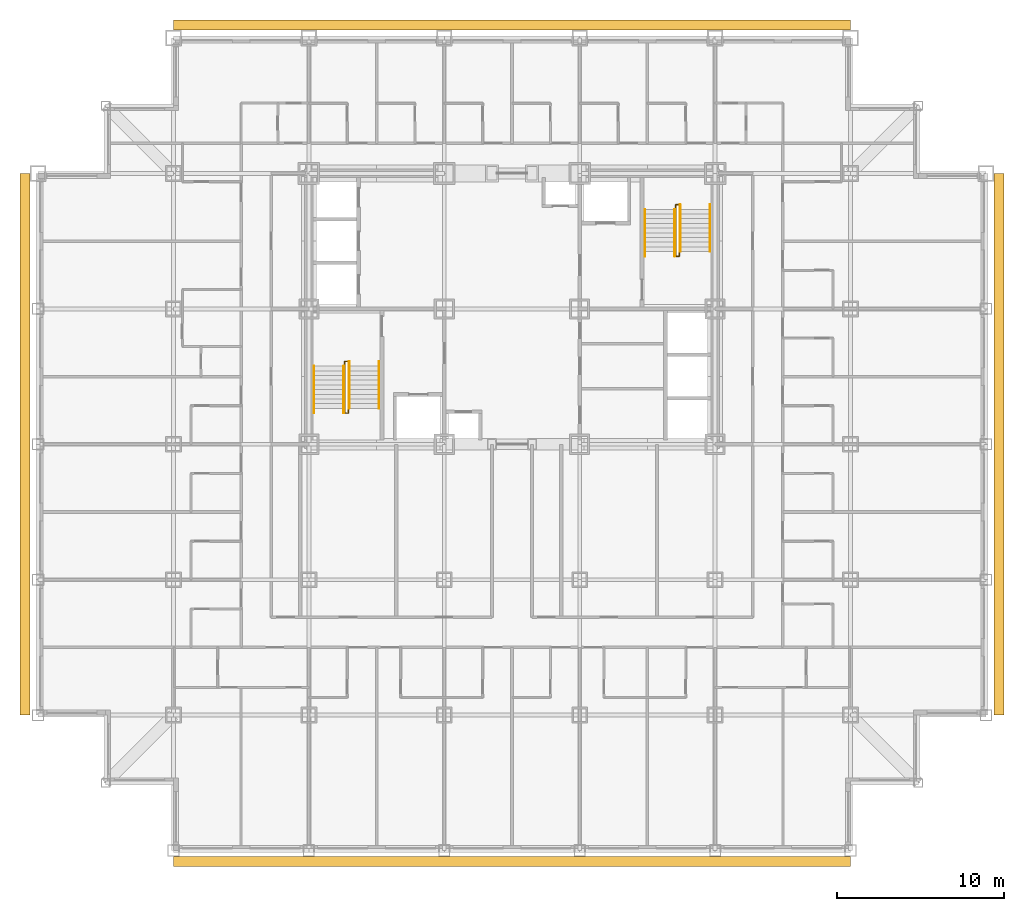
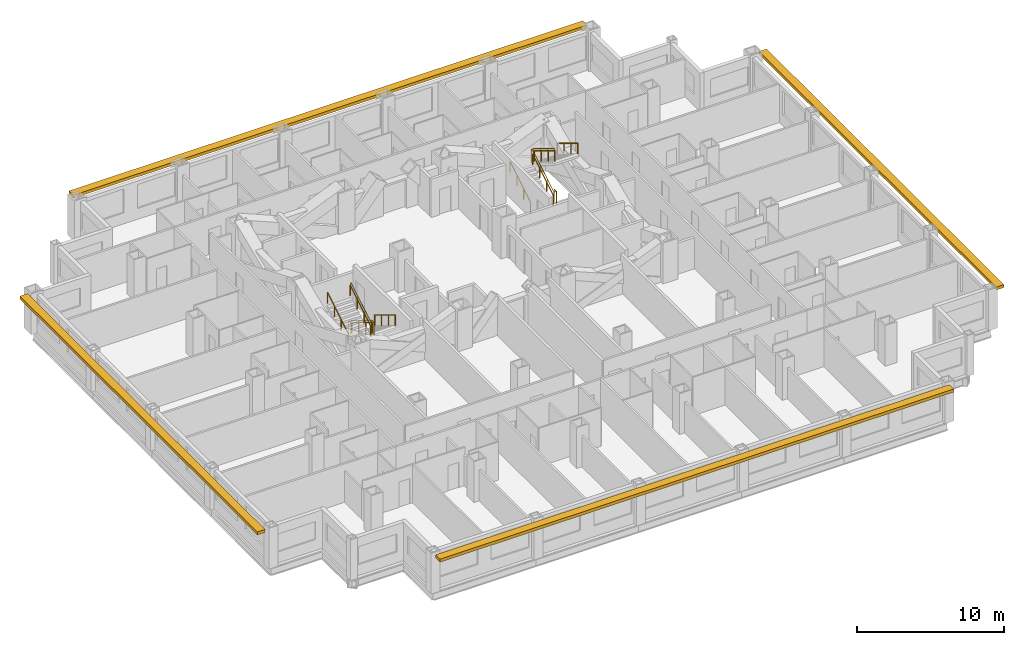
# One storey, part 11 of 11: 10 railings, 4 shading devices.
"""IFC4 building model written with IfcOpenShell, lengths in metres."""

from ifc_helpers import new_model, si_unit, direction, frame, origin, origin_2d, place, context, subcontext, project, spatial, rectangle, circle, extrude, material, type_object, element, save


model = new_model("IFC4")

# Units and contexts
model_context = context("Model", 3, precision=1e-05, world=origin(), true_north=direction((0.0, 1.0)))
body_context = subcontext(model_context, "Body", "Model", "MODEL_VIEW")
ifc_project = project(units=[si_unit("LENGTHUNIT", "METRE"), si_unit("AREAUNIT", "SQUARE_METRE"), si_unit("VOLUMEUNIT", "CUBIC_METRE"), si_unit("PLANEANGLEUNIT", "RADIAN"), si_unit("MASSUNIT", "GRAM", prefix="KILO")], contexts=[model_context])

# Site, building, storey
site_placement = place(None, origin())
site = spatial("IfcSite", under=ifc_project, at=site_placement, CompositionType="ELEMENT")
building_placement = place(site_placement, origin())
building = spatial("IfcBuilding", under=site, at=building_placement, Name="Kopane Lantern Tower", CompositionType="ELEMENT")
storey_placement = place(building_placement, frame((0.0, 0.0, 56.800048828125)))
storey = spatial("IfcBuildingStorey", under=building, at=storey_placement, Name="L13", CompositionType="ELEMENT", Elevation=56.800048828125)

# Railings
ifc_material_1 = material(Name="Steel", Category="steel")
railing_type_1 = type_object("IfcRailingType", Name="STAIR GUARD 1100", PredefinedType="GUARDRAIL", material=ifc_material_1)
railing_1_placement = place(storey_placement, frame((18.35009765625, 28.969970703125, 0.0)))
element("IfcRailing", 1, at=railing_1_placement, inside=storey, type_object=railing_type_1, Name="ST1 well guard L13", PredefinedType="GUARDRAIL", context=body_context, shape_type="SweptSolid", body=[
    extrude(circle(Radius=0.02392578125, at=origin_2d()), frame((0.0, 0.0, 1.076171875), z_axis=(0.0, 1.0, 0.0), x_axis=(-1.0, 0.0, 0.0)), (0.0, 0.0, 1.0), 0.280029296875),
    extrude(circle(Radius=0.02392578125, at=origin_2d()), frame((0.0, 0.280029296875, 1.076171875), z_axis=(1.0, 0.0, 0.0), x_axis=(0.0, 1.0, 0.0)), (0.0, 0.0, 1.0), 0.199951171875),
    extrude(circle(Radius=0.02392578125, at=origin_2d()), frame((0.199951171875, 0.280029296875, 1.076171875), z_axis=(0.0, -0.854798142509, 0.518960630071), x_axis=(1.0, 0.0, 0.0)), (0.0, 0.0, 1.0), 3.275634765625),
    extrude(circle(Radius=0.02392578125, at=origin_2d()), frame((0.199951171875, -2.52001953125, 2.77587890625), z_axis=(0.0, -1.0, 0.0), x_axis=(1.0, 0.0, 0.0)), (0.0, 0.0, 1.0), 0.280029296875),
    extrude(circle(Radius=0.02392578125, at=origin_2d()), frame((0.199951171875, -2.800048828125, 2.77587890625), z_axis=(-1.0, 0.0, 0.0), x_axis=(0.0, -1.0, 0.0)), (0.0, 0.0, 1.0), 0.199951171875),
    extrude(circle(Radius=0.02392578125, at=origin_2d()), frame((0.0, -2.800048828125, 2.77587890625), z_axis=(0.0, 0.854798142509, 0.518960630071), x_axis=(-1.0, 0.0, 0.0)), (0.0, 0.0, 1.0), 3.275634765625),
    extrude(circle(Radius=0.02099609375, at=origin_2d()), origin(), (0.0, 0.0, 1.0), 1.052001953125),
    extrude(circle(Radius=0.02099609375, at=origin_2d()), frame((0.0, 0.280029296875, 0.0)), (0.0, 0.0, 1.0), 1.052001953125),
    extrude(circle(Radius=0.02099609375, at=origin_2d()), frame((0.199951171875, 0.280029296875, 0.0)), (0.0, 0.0, 1.0), 1.052001953125),
    extrude(circle(Radius=0.02099609375, at=origin_2d()), frame((0.199951171875, -0.6533203125, 0.566650390625)), (0.0, 0.0, 1.0), 1.052001953125),
    extrude(circle(Radius=0.02099609375, at=origin_2d()), frame((0.199951171875, -1.586669921875, 1.13330078125)), (0.0, 0.0, 1.0), 1.052001953125),
    extrude(circle(Radius=0.02099609375, at=origin_2d()), frame((0.199951171875, -2.52001953125, 1.699951171875)), (0.0, 0.0, 1.0), 1.052001953125),
    extrude(circle(Radius=0.02099609375, at=origin_2d()), frame((0.199951171875, -2.800048828125, 1.699951171875)), (0.0, 0.0, 1.0), 1.052001953125),
    extrude(circle(Radius=0.02099609375, at=origin_2d()), frame((0.0, -2.800048828125, 1.699951171875)), (0.0, 0.0, 1.0), 1.052001953125),
    extrude(circle(Radius=0.02099609375, at=origin_2d()), frame((0.0, -1.86669921875, 2.2666015625)), (0.0, 0.0, 1.0), 1.052001953125),
    extrude(circle(Radius=0.02099609375, at=origin_2d()), frame((0.0, -0.933349609375, 2.833251953125)), (0.0, 0.0, 1.0), 1.052001953125),
    extrude(circle(Radius=0.02099609375, at=origin_2d()), frame((0.0, 0.0, 3.39990234375)), (0.0, 0.0, 1.0), 1.052001953125),
])
railing_2_placement = place(storey_placement, frame((38.35009765625, 35.830078125, 0.0)))
element("IfcRailing", 2, at=railing_2_placement, inside=storey, type_object=railing_type_1, Name="ST2 well guard L13", PredefinedType="GUARDRAIL", context=body_context, shape_type="SweptSolid", body=[
    extrude(circle(Radius=0.02392578125, at=origin_2d()), frame((0.0, 0.0, 1.076171875), z_axis=(0.0, -1.0, 0.0), x_axis=(1.0, 0.0, 0.0)), (0.0, 0.0, 1.0), 0.280029296875),
    extrude(circle(Radius=0.02392578125, at=origin_2d()), frame((0.0, -0.280029296875, 1.076171875), z_axis=(-1.0, 0.0, 0.0), x_axis=(0.0, -1.0, 0.0)), (0.0, 0.0, 1.0), 0.2001953125),
    extrude(circle(Radius=0.02392578125, at=origin_2d()), frame((-0.2001953125, -0.280029296875, 1.076171875), z_axis=(0.0, 0.854798142509, 0.518960630071), x_axis=(-1.0, 0.0, 0.0)), (0.0, 0.0, 1.0), 3.275634765625),
    extrude(circle(Radius=0.02392578125, at=origin_2d()), frame((-0.2001953125, 2.52001953125, 2.77587890625), z_axis=(0.0, 1.0, 0.0), x_axis=(-1.0, 0.0, 0.0)), (0.0, 0.0, 1.0), 0.27978515625),
    extrude(circle(Radius=0.02392578125, at=origin_2d()), frame((-0.2001953125, 2.7998046875, 2.77587890625), z_axis=(1.0, 0.0, 0.0), x_axis=(0.0, 1.0, 0.0)), (0.0, 0.0, 1.0), 0.2001953125),
    extrude(circle(Radius=0.02392578125, at=origin_2d()), frame((0.0, 2.7998046875, 2.77587890625), z_axis=(0.0, -0.854778067842, 0.518993694313), x_axis=(1.0, 0.0, 0.0)), (0.0, 0.0, 1.0), 3.275390625),
    extrude(circle(Radius=0.02099609375, at=origin_2d()), origin(), (0.0, 0.0, 1.0), 1.052001953125),
    extrude(circle(Radius=0.02099609375, at=origin_2d()), frame((0.0, -0.280029296875, 0.0)), (0.0, 0.0, 1.0), 1.052001953125),
    extrude(circle(Radius=0.02099609375, at=origin_2d()), frame((-0.2001953125, -0.280029296875, 0.0)), (0.0, 0.0, 1.0), 1.052001953125),
    extrude(circle(Radius=0.02099609375, at=origin_2d()), frame((-0.2001953125, 0.6533203125, 0.566650390625)), (0.0, 0.0, 1.0), 1.052001953125),
    extrude(circle(Radius=0.02099609375, at=origin_2d()), frame((-0.2001953125, 1.586669921875, 1.13330078125)), (0.0, 0.0, 1.0), 1.052001953125),
    extrude(circle(Radius=0.02099609375, at=origin_2d()), frame((-0.2001953125, 2.52001953125, 1.699951171875)), (0.0, 0.0, 1.0), 1.052001953125),
    extrude(circle(Radius=0.02099609375, at=origin_2d()), frame((-0.2001953125, 2.7998046875, 1.699951171875)), (0.0, 0.0, 1.0), 1.052001953125),
    extrude(circle(Radius=0.02099609375, at=origin_2d()), frame((0.0, 2.7998046875, 1.699951171875)), (0.0, 0.0, 1.0), 1.052001953125),
    extrude(circle(Radius=0.02099609375, at=origin_2d()), frame((0.0, 1.866455078125, 2.2666015625)), (0.0, 0.0, 1.0), 1.052001953125),
    extrude(circle(Radius=0.02099609375, at=origin_2d()), frame((0.0, 0.933349609375, 2.833251953125)), (0.0, 0.0, 1.0), 1.052001953125),
    extrude(circle(Radius=0.02099609375, at=origin_2d()), frame((0.0, 0.0, 3.39990234375)), (0.0, 0.0, 1.0), 1.052001953125),
])
ifc_material_2 = material(Name="Steel", Category="steel")
railing_type_2 = type_object("IfcRailingType", Name="STAIR HANDRAIL 900", PredefinedType="HANDRAIL", material=ifc_material_2)
for number, where, name in (
    (3, (20.389892578125, 29.25, 0.0), "ST1 handrail L13 flight 1"),
    (4, (18.610107421875, 29.25, 0.0), "ST1 handrail L13 flight 1"),
):
    element("IfcRailing", number, at=place(storey_placement, frame(where)), inside=storey, type_object=railing_type_2, Name=name, PredefinedType="HANDRAIL", context=body_context, shape_type="SweptSolid", body=[
        extrude(circle(Radius=0.02392578125, at=origin_2d()), frame((0.0, 0.0, 0.8759765625), z_axis=(0.0, -0.854798142509, 0.518960630071), x_axis=(1.0, 0.0, 0.0)), (0.0, 0.0, 1.0), 3.275634765625),
        extrude(circle(Radius=0.02099609375, at=origin_2d()), origin(), (0.0, 0.0, 1.0), 0.851806640625),
        extrude(circle(Radius=0.02099609375, at=origin_2d()), frame((0.0, -0.933349609375, 0.566650390625)), (0.0, 0.0, 1.0), 0.851806640625),
        extrude(circle(Radius=0.02099609375, at=origin_2d()), frame((0.0, -1.86669921875, 1.13330078125)), (0.0, 0.0, 1.0), 0.851806640625),
        extrude(circle(Radius=0.02099609375, at=origin_2d()), frame((0.0, -2.800048828125, 1.699951171875)), (0.0, 0.0, 1.0), 0.851806640625),
    ])
for number, where, name in (
    (5, (16.510009765625, 26.169921875, 1.699951171875), "ST1 handrail L13 flight 2"),
    (6, (18.2900390625, 26.169921875, 1.699951171875), "ST1 handrail L13 flight 2"),
    (7, (36.31005859375, 35.550048828125, 0.0), "ST2 handrail L13 flight 1"),
    (8, (38.090087890625, 35.550048828125, 0.0), "ST2 handrail L13 flight 1"),
):
    element("IfcRailing", number, at=place(storey_placement, frame(where)), inside=storey, type_object=railing_type_2, Name=name, PredefinedType="HANDRAIL", context=body_context, shape_type="SweptSolid", body=[
        extrude(circle(Radius=0.02392578125, at=origin_2d()), frame((0.0, 0.0, 0.8759765625), z_axis=(0.0, 0.854798142509, 0.518960630071), x_axis=(-1.0, 0.0, 0.0)), (0.0, 0.0, 1.0), 3.275634765625),
        extrude(circle(Radius=0.02099609375, at=origin_2d()), origin(), (0.0, 0.0, 1.0), 0.851806640625),
        extrude(circle(Radius=0.02099609375, at=origin_2d()), frame((0.0, 0.933349609375, 0.566650390625)), (0.0, 0.0, 1.0), 0.851806640625),
        extrude(circle(Radius=0.02099609375, at=origin_2d()), frame((0.0, 1.86669921875, 1.13330078125)), (0.0, 0.0, 1.0), 0.851806640625),
        extrude(circle(Radius=0.02099609375, at=origin_2d()), frame((0.0, 2.800048828125, 1.699951171875)), (0.0, 0.0, 1.0), 0.851806640625),
    ])
for number, where, name in (
    (9, (40.18994140625, 38.6298828125, 1.699951171875), "ST2 handrail L13 flight 2"),
    (10, (38.409912109375, 38.6298828125, 1.699951171875), "ST2 handrail L13 flight 2"),
):
    element("IfcRailing", number, at=place(storey_placement, frame(where)), inside=storey, type_object=railing_type_2, Name=name, PredefinedType="HANDRAIL", context=body_context, shape_type="SweptSolid", body=[
        extrude(circle(Radius=0.02392578125, at=origin_2d()), frame((0.0, 0.0, 0.8759765625), z_axis=(0.0, -0.854778067842, 0.518993694313), x_axis=(1.0, 0.0, 0.0)), (0.0, 0.0, 1.0), 3.275390625),
        extrude(circle(Radius=0.02099609375, at=origin_2d()), origin(), (0.0, 0.0, 1.0), 0.851806640625),
        extrude(circle(Radius=0.02099609375, at=origin_2d()), frame((0.0, -0.933349609375, 0.566650390625)), (0.0, 0.0, 1.0), 0.851806640625),
        extrude(circle(Radius=0.02099609375, at=origin_2d()), frame((0.0, -1.866455078125, 1.13330078125)), (0.0, 0.0, 1.0), 0.851806640625),
        extrude(circle(Radius=0.02099609375, at=origin_2d()), frame((0.0, -2.7998046875, 1.699951171875)), (0.0, 0.0, 1.0), 0.851806640625),
    ])

# Shading devices
ifc_material_3 = material(Name="Terracotta rainscreen on light steel framing", Category="masonry")
shading_device_type = type_object("IfcShadingDeviceType", Name="SUNSHADE BAND SB1 600 TERRACOTTA", PredefinedType="USERDEFINED", material=ifc_material_3)
shading_device_1_placement = place(storey_placement, frame((28.35009765625, -0.64990234375, 2.89990234375), z_axis=(0.0, 0.0, 1.0), x_axis=(1.0, 0.0, 0.0)))
element("IfcShadingDevice", 11, at=shading_device_1_placement, inside=storey, type_object=shading_device_type, Name="Sunshade band S L13", ObjectType="SUNSHADE BAND", PredefinedType="USERDEFINED", context=body_context, shape_type="SweptSolid", body=[
    extrude(rectangle(XDim=40.5, YDim=0.60009765625, at=origin_2d()), origin(), (0.0, 0.0, 1.0), 0.25),
])
shading_device_2_placement = place(storey_placement, frame((57.47509765625, 24.300048828125, 2.89990234375), z_axis=(0.0, 0.0, 1.0), x_axis=(0.0, 1.0, 0.0)))
element("IfcShadingDevice", 12, at=shading_device_2_placement, inside=storey, type_object=shading_device_type, Name="Sunshade band E L13", ObjectType="SUNSHADE BAND", PredefinedType="USERDEFINED", context=body_context, shape_type="SweptSolid", body=[
    extrude(rectangle(XDim=32.39990234375, YDim=0.60009765625, at=origin_2d()), origin(), (0.0, 0.0, 1.0), 0.25),
])
shading_device_3_placement = place(storey_placement, frame((28.35009765625, 49.375, 2.89990234375), z_axis=(0.0, 0.0, 1.0), x_axis=(-1.0, 0.0, 0.0)))
element("IfcShadingDevice", 13, at=shading_device_3_placement, inside=storey, type_object=shading_device_type, Name="Sunshade band N L13", ObjectType="SUNSHADE BAND", PredefinedType="USERDEFINED", context=body_context, shape_type="SweptSolid", body=[
    extrude(rectangle(XDim=40.5, YDim=0.60009765625, at=origin_2d()), origin(), (0.0, 0.0, 1.0), 0.25),
])
shading_device_4_placement = place(storey_placement, frame((-0.77490234375, 24.300048828125, 2.89990234375), z_axis=(0.0, 0.0, 1.0), x_axis=(0.0, -1.0, 0.0)))
element("IfcShadingDevice", 14, at=shading_device_4_placement, inside=storey, type_object=shading_device_type, Name="Sunshade band W L13", ObjectType="SUNSHADE BAND", PredefinedType="USERDEFINED", context=body_context, shape_type="SweptSolid", body=[
    extrude(rectangle(XDim=32.39990234375, YDim=0.60009765625, at=origin_2d()), origin(), (0.0, 0.0, 1.0), 0.25),
])

save(model, "model.ifc")
